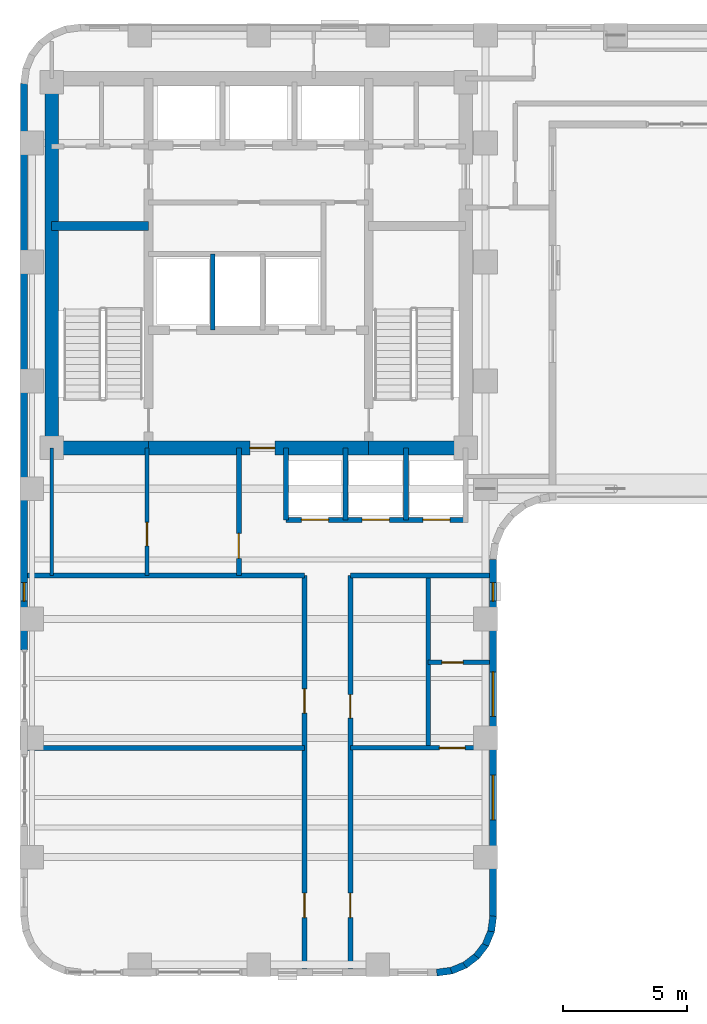
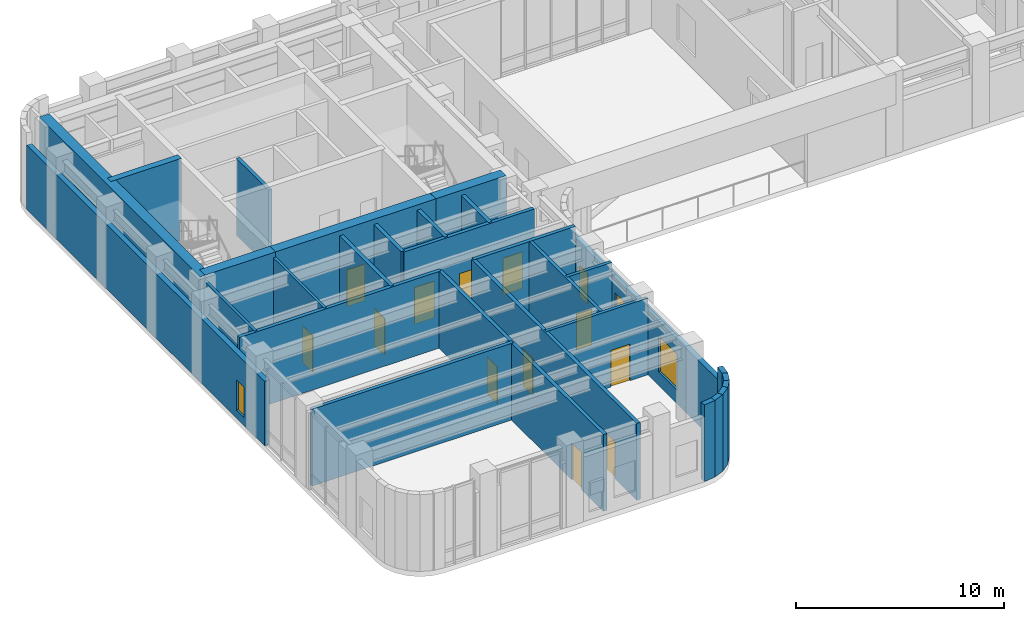
# One storey, part 6 of 12: 29 walls, 12 doors, 4 windows, 16 openings.
"""IFC4 building model written with IfcOpenShell, lengths in metres."""

from ifc_helpers import new_model, si_unit, direction, frame, frame_2d, origin, place, context, subcontext, project, spatial, rectangle, extrude, material, layer, layer_set, type_object, element, fill, save


model = new_model("IFC4")

# Units and contexts
model_context = context("Model", 3, precision=1e-05, world=origin(), true_north=direction((0.0, 1.0)))
body_context = subcontext(model_context, "Body", "Model", "MODEL_VIEW")
ifc_project = project(units=[si_unit("LENGTHUNIT", "METRE"), si_unit("AREAUNIT", "SQUARE_METRE"), si_unit("VOLUMEUNIT", "CUBIC_METRE"), si_unit("PLANEANGLEUNIT", "RADIAN"), si_unit("MASSUNIT", "GRAM", prefix="KILO")], contexts=[model_context])

# Site, building, storey
site_placement = place(None, origin())
site = spatial("IfcSite", under=ifc_project, at=site_placement, CompositionType="ELEMENT")
building_placement = place(site_placement, origin())
building = spatial("IfcBuilding", under=site, at=building_placement, Name="Orvandelia Arch Residences", CompositionType="ELEMENT")
storey_placement = place(building_placement, frame((0.0, 0.0, 193.60009765625)))
storey = spatial("IfcBuildingStorey", under=building, at=storey_placement, Name="L51", CompositionType="ELEMENT", Elevation=193.60009765625)

# Walls
ifc_material_1 = material(Name="Concrete C50/60", Category="concrete")
ifc_layer_1 = layer(ifc_material_1, 0.35009765625, Name="Concrete C50/60", Category="concrete")
ifc_layer_set_1 = layer_set([ifc_layer_1], Name="Concrete C50/60")
wall_type_1 = type_object("IfcWallType", Name="WL-CORE-350", PredefinedType="SHEAR", material=ifc_layer_set_1)
wall_1_placement = place(storey_placement, frame((6.050048828125, 39.85009765625, 0.0), z_axis=(0.0, 0.0, 1.0), x_axis=(1.0, 0.0, 0.0)))
element("IfcWall", 1, at=wall_1_placement, inside=storey, type_object=wall_type_1, Name="Core Shear Wall L51-HZ1", PredefinedType="SHEAR", context=body_context, shape_type="SweptSolid", body=[
    extrude(rectangle(XDim=3.909912109375, YDim=0.35009765625, at=frame_2d((1.955078125, 0.0))), origin(), (0.0, 0.0, 1.0), 4.7998046875),
])
ifc_material_2 = material(Name="Concrete C60/75", Category="concrete")
ifc_layer_2 = layer(ifc_material_2, 0.550048828125, Name="Concrete C60/75", Category="concrete")
ifc_layer_set_2 = layer_set([ifc_layer_2], Name="Concrete C60/75")
wall_type_2 = type_object("IfcWallType", Name="WL-CORE-550", PredefinedType="SHEAR", material=ifc_layer_set_2)
wall_2_placement = place(storey_placement, frame((6.050048828125, 30.625, 0.0), z_axis=(0.0, 0.0, 1.0), x_axis=(0.0, 1.0, 0.0)))
element("IfcWall", 2, at=wall_2_placement, inside=storey, type_object=wall_type_2, Name="Core Shear Wall L51-W", PredefinedType="SHEAR", context=body_context, shape_type="SweptSolid", body=[
    extrude(rectangle(XDim=15.449951171875, YDim=0.550048828125, at=frame_2d((7.72509765625, 0.0))), origin(), (0.0, 0.0, 1.0), 4.7998046875),
])
wall_3_placement = place(storey_placement, frame((6.050048828125, 30.89990234375, 0.0), z_axis=(0.0, 0.0, 1.0), x_axis=(1.0, 0.0, 0.0)))
element("IfcWall", 3, at=wall_3_placement, inside=storey, type_object=wall_type_2, Name="Core Shear Wall L51-SW", PredefinedType="SHEAR", context=body_context, shape_type="SweptSolid", body=[
    extrude(rectangle(XDim=3.909912109375, YDim=0.550048828125, at=frame_2d((1.955078125, 0.0))), origin(), (0.0, 0.0, 1.0), 4.7998046875),
])

# Wall, opening, door
wall_4_placement = place(storey_placement, frame((9.9599609375, 30.89990234375, 0.0), z_axis=(0.0, 0.0, 1.0), x_axis=(1.0, 0.0, 0.0)))
wall_4 = element("IfcWall", 4, at=wall_4_placement, inside=storey, type_object=wall_type_2, Name="Core Shear Wall L51-SM", PredefinedType="SHEAR", context=body_context, shape_type="SweptSolid", body=[
    extrude(rectangle(XDim=8.880126953125, YDim=0.550048828125, at=frame_2d((4.43994140625, 0.0))), origin(), (0.0, 0.0, 1.0), 4.7998046875),
])
opening_1_placement = place(wall_4_placement, frame((4.090087890625, 0.0, 0.0)))
opening_1 = element("IfcOpeningElement", 5, at=opening_1_placement, cuts=wall_4, Name="Opening D6", PredefinedType="OPENING", context=body_context, shape_type="SweptSolid", body=[
    extrude(rectangle(XDim=1.0, YDim=2.14990234375, at=frame_2d((0.5, 1.074951171875))), frame((0.0, 0.28515625, 0.0), z_axis=(0.0, -1.0, 0.0), x_axis=(1.0, 0.0, 0.0)), (0.0, 0.0, 1.0), 0.570068359375),
])
ifc_material_3 = material(Name="Smokeproof Painted Steel Fire Door", Category="steel")
door_type_1 = type_object("IfcDoorType", Name="DR-FD60-1000", OperationType="NOTDEFINED", PredefinedType="DOOR", material=ifc_material_3)
door_1_placement = place(opening_1_placement, origin())
door_1 = element("IfcDoor", 6, at=door_1_placement, inside=storey, type_object=door_type_1, Name="Firefighting Lobby Smokeproof Door L51", OperationType="SINGLE_SWING_LEFT", OverallHeight=2.14990234375, OverallWidth=1.0, PredefinedType="DOOR", context=body_context, shape_type="SweptSolid", body=[
    extrude(rectangle(XDim=1.0, YDim=2.14990234375, at=frame_2d((0.5, 1.074951171875))), frame((0.0, 0.02490234375, 0.0), z_axis=(0.0, -1.0, 0.0), x_axis=(1.0, 0.0, 0.0)), (0.0, 0.0, 1.0), 0.050048828125),
])
fill(opening_1, door_1)

# Wall
wall_5_placement = place(storey_placement, frame((18.840087890625, 30.89990234375, 0.0), z_axis=(0.0, 0.0, 1.0), x_axis=(1.0, 0.0, 0.0)))
element("IfcWall", 7, at=wall_5_placement, inside=storey, type_object=wall_type_2, Name="Core Shear Wall L51-SE", PredefinedType="SHEAR", context=body_context, shape_type="SweptSolid", body=[
    extrude(rectangle(XDim=3.909912109375, YDim=0.550048828125, at=frame_2d((1.955078125, 0.0))), origin(), (0.0, 0.0, 1.0), 4.7998046875),
])

# Wall, openings, doors
ifc_material_4 = material(Name="Fire-Rated Corridor Partition")
ifc_layer_3 = layer(ifc_material_4, 0.199951171875, Name="Fire-Rated Corridor Partition")
ifc_layer_set_3 = layer_set([ifc_layer_3], Name="Fire-Rated Corridor Partition")
wall_type_3 = type_object("IfcWallType", Name="WL-CORR-200", PredefinedType="PARTITIONING", material=ifc_layer_set_3)
wall_6_placement = place(storey_placement, frame((16.25, 9.8798828125, 0.0), z_axis=(0.0, 0.0, 1.0), x_axis=(0.0, 1.0, 0.0)))
wall_6 = element("IfcWall", 8, at=wall_6_placement, inside=storey, type_object=wall_type_3, Name="Interior Partition Wall WL-L51-SKW", PredefinedType="PARTITIONING", context=body_context, shape_type="SweptSolid", body=[
    extrude(rectangle(XDim=15.8701171875, YDim=0.199951171875, at=frame_2d((7.93505859375, 0.0))), origin(), (0.0, 0.0, 1.0), 4.5),
])
opening_2_placement = place(wall_6_placement, frame((10.320068359375, 0.0, 0.0)))
opening_2 = element("IfcOpeningElement", 9, at=opening_2_placement, cuts=wall_6, Name="Opening D1", PredefinedType="OPENING", context=body_context, shape_type="SweptSolid", body=[
    extrude(rectangle(XDim=0.97998046875, YDim=2.179931640625, at=frame_2d((0.489990234375, 1.08984375))), frame((0.0, 0.10986328125, 0.0), z_axis=(0.0, -1.0, 0.0), x_axis=(1.0, 0.0, 0.0)), (0.0, 0.0, 1.0), 0.219970703125),
])
opening_3_placement = place(wall_6_placement, frame((2.080078125, 0.0, 0.0)))
opening_3 = element("IfcOpeningElement", 10, at=opening_3_placement, cuts=wall_6, Name="Opening D1", PredefinedType="OPENING", context=body_context, shape_type="SweptSolid", body=[
    extrude(rectangle(XDim=0.97998046875, YDim=2.179931640625, at=frame_2d((0.489990234375, 1.08984375))), frame((0.0, 0.10986328125, 0.0), z_axis=(0.0, -1.0, 0.0), x_axis=(1.0, 0.0, 0.0)), (0.0, 0.0, 1.0), 0.219970703125),
])
ifc_material_5 = material(Name="Solid-Core Timber Acoustic Fire Door", Category="wood")
door_type_2 = type_object("IfcDoorType", Name="DR-ENT-980", OperationType="NOTDEFINED", PredefinedType="DOOR", material=ifc_material_5)
door_2_placement = place(opening_2_placement, origin())
door_2 = element("IfcDoor", 11, at=door_2_placement, inside=storey, type_object=door_type_2, Name="DR-L51-SKR", OperationType="SINGLE_SWING_LEFT", OverallHeight=2.179931640625, OverallWidth=0.97998046875, PredefinedType="DOOR", context=body_context, shape_type="SweptSolid", body=[
    extrude(rectangle(XDim=0.97998046875, YDim=2.179931640625, at=frame_2d((0.489990234375, 1.08984375))), frame((0.0, 0.02490234375, 0.0), z_axis=(0.0, -1.0, 0.0), x_axis=(1.0, 0.0, 0.0)), (0.0, 0.0, 1.0), 0.050048828125),
])
fill(opening_2, door_2)
door_3_placement = place(opening_3_placement, origin())
door_3 = element("IfcDoor", 12, at=door_3_placement, inside=storey, type_object=door_type_2, Name="DR-L51-SKO", OperationType="SINGLE_SWING_RIGHT", OverallHeight=2.179931640625, OverallWidth=0.97998046875, PredefinedType="DOOR", context=body_context, shape_type="SweptSolid", body=[
    extrude(rectangle(XDim=0.97998046875, YDim=2.179931640625, at=frame_2d((0.489990234375, 1.08984375))), frame((0.0, 0.02490234375, 0.0), z_axis=(0.0, -1.0, 0.0), x_axis=(1.0, 0.0, 0.0)), (0.0, 0.0, 1.0), 0.050048828125),
])
fill(opening_3, door_3)

wall_7_placement = place(storey_placement, frame((18.10009765625, 9.8798828125, 0.0), z_axis=(0.0, 0.0, 1.0), x_axis=(0.0, 1.0, 0.0)))
wall_7 = element("IfcWall", 13, at=wall_7_placement, inside=storey, type_object=wall_type_3, Name="Interior Partition Wall WL-L51-SKE", PredefinedType="PARTITIONING", context=body_context, shape_type="SweptSolid", body=[
    extrude(rectangle(XDim=15.8701171875, YDim=0.199951171875, at=frame_2d((7.93505859375, 0.0))), origin(), (0.0, 0.0, 1.0), 4.5),
])
opening_4_placement = place(wall_7_placement, frame((2.080078125, 0.0, 0.0)))
opening_4 = element("IfcOpeningElement", 14, at=opening_4_placement, cuts=wall_7, Name="Opening D1", PredefinedType="OPENING", context=body_context, shape_type="SweptSolid", body=[
    extrude(rectangle(XDim=0.97998046875, YDim=2.179931640625, at=frame_2d((0.489990234375, 1.08984375))), frame((0.0, 0.10986328125, 0.0), z_axis=(0.0, -1.0, 0.0), x_axis=(1.0, 0.0, 0.0)), (0.0, 0.0, 1.0), 0.219970703125),
])
opening_5_placement = place(wall_7_placement, frame((10.1201171875, 0.0, 0.0)))
opening_5 = element("IfcOpeningElement", 15, at=opening_5_placement, cuts=wall_7, Name="Opening D2", PredefinedType="OPENING", context=body_context, shape_type="SweptSolid", body=[
    extrude(rectangle(XDim=0.949951171875, YDim=2.14990234375, at=frame_2d((0.47509765625, 1.074951171875))), frame((0.0, 0.10986328125, 0.0), z_axis=(0.0, -1.0, 0.0), x_axis=(1.0, 0.0, 0.0)), (0.0, 0.0, 1.0), 0.219970703125),
])
ifc_material_6 = material(Name="Solid-Core Timber Interior Fire Door", Category="wood")
door_type_3 = type_object("IfcDoorType", Name="DR-APT-950", OperationType="NOTDEFINED", PredefinedType="DOOR", material=ifc_material_6)
door_4_placement = place(opening_5_placement, origin())
door_4 = element("IfcDoor", 16, at=door_4_placement, inside=storey, type_object=door_type_3, Name="DR-L51-SKK", OperationType="SINGLE_SWING_RIGHT", OverallHeight=2.14990234375, OverallWidth=0.949951171875, PredefinedType="DOOR", context=body_context, shape_type="SweptSolid", body=[
    extrude(rectangle(XDim=0.949951171875, YDim=2.14990234375, at=frame_2d((0.47509765625, 1.074951171875))), frame((0.0, 0.02490234375, 0.0), z_axis=(0.0, -1.0, 0.0), x_axis=(1.0, 0.0, 0.0)), (0.0, 0.0, 1.0), 0.050048828125),
])
fill(opening_5, door_4)
door_5_placement = place(opening_4_placement, origin())
door_5 = element("IfcDoor", 17, at=door_5_placement, inside=storey, type_object=door_type_2, Name="DR-L51-SKD", OperationType="SINGLE_SWING_LEFT", OverallHeight=2.179931640625, OverallWidth=0.97998046875, PredefinedType="DOOR", context=body_context, shape_type="SweptSolid", body=[
    extrude(rectangle(XDim=0.97998046875, YDim=2.179931640625, at=frame_2d((0.489990234375, 1.08984375))), frame((0.0, 0.02490234375, 0.0), z_axis=(0.0, -1.0, 0.0), x_axis=(1.0, 0.0, 0.0)), (0.0, 0.0, 1.0), 0.050048828125),
])
fill(opening_4, door_5)

# Walls
wall_8_placement = place(storey_placement, frame((5.080078125, 25.75, 0.0), z_axis=(0.0, 0.0, 1.0), x_axis=(1.0, 0.0, 0.0)))
element("IfcWall", 18, at=wall_8_placement, inside=storey, type_object=wall_type_3, Name="Interior Partition Wall WL-L51-SKCLS-W", PredefinedType="PARTITIONING", context=body_context, shape_type="SweptSolid", body=[
    extrude(rectangle(XDim=11.169921875, YDim=0.199951171875, at=frame_2d((5.5849609375, 0.0))), origin(), (0.0, 0.0, 1.0), 4.5),
])
wall_9_placement = place(storey_placement, frame((18.10009765625, 25.75, 0.0), z_axis=(0.0, 0.0, 1.0), x_axis=(1.0, 0.0, 0.0)))
element("IfcWall", 19, at=wall_9_placement, inside=storey, type_object=wall_type_3, Name="Interior Partition Wall WL-L51-SKCLS-E", PredefinedType="PARTITIONING", context=body_context, shape_type="SweptSolid", body=[
    extrude(rectangle(XDim=5.619873046875, YDim=0.199951171875, at=frame_2d((2.81005859375, 0.0))), origin(), (0.0, 0.0, 1.0), 4.5),
])
ifc_material_7 = material(Name="Concrete C40/50", Category="concrete")
ifc_layer_4 = layer(ifc_material_7, 0.199951171875, Name="Concrete C40/50", Category="concrete")
ifc_layer_set_4 = layer_set([ifc_layer_4], Name="Concrete C40/50")
wall_type_4 = type_object("IfcWallType", Name="WL-DEM-200", PredefinedType="SOLIDWALL", material=ifc_layer_set_4)
wall_10_placement = place(storey_placement, frame((5.080078125, 18.800048828125, 0.0), z_axis=(0.0, 0.0, 1.0), x_axis=(1.0, 0.0, 0.0)))
element("IfcWall", 20, at=wall_10_placement, inside=storey, type_object=wall_type_4, Name="Interior Partition Wall WL-L51-SKD1", PredefinedType="SOLIDWALL", context=body_context, shape_type="SweptSolid", body=[
    extrude(rectangle(XDim=11.169921875, YDim=0.199951171875, at=frame_2d((5.5849609375, 0.0))), origin(), (0.0, 0.0, 1.0), 4.5),
])

# Wall, openings, windows
ifc_material_8 = material(Name="Precast concrete C40/50", Category="concrete")
ifc_layer_5 = layer(ifc_material_8, 0.280029296875, Name="Precast concrete C40/50", Category="concrete")
ifc_layer_set_5 = layer_set([ifc_layer_5], Name="Precast concrete C40/50")
wall_type_5 = type_object("IfcWallType", Name="WL-EXT-STONE-280", PredefinedType="STANDARD", material=ifc_layer_set_5)
wall_11_placement = place(storey_placement, frame((23.860107421875, 26.39990234375, 0.0), z_axis=(0.0, 0.0, 1.0), x_axis=(0.0, -1.0, 0.0)))
wall_11 = element("IfcWall", 21, at=wall_11_placement, inside=storey, type_object=wall_type_5, Name="Coral-Limestone Precast Facade Wall L51-032", PredefinedType="STANDARD", context=body_context, shape_type="SweptSolid", body=[
    extrude(rectangle(XDim=14.39990234375, YDim=0.280029296875, at=frame_2d((7.199951171875, 0.0))), origin(), (0.0, 0.0, 1.0), 3.77978515625),
])
opening_6_placement = place(wall_11_placement, frame((8.699951171875, 0.0, 0.800048828125)))
opening_6 = element("IfcOpeningElement", 22, at=opening_6_placement, cuts=wall_11, Name="Opening W1", PredefinedType="OPENING", context=body_context, shape_type="SweptSolid", body=[
    extrude(rectangle(XDim=1.800048828125, YDim=2.10009765625, at=frame_2d((0.89990234375, 1.050048828125))), frame((0.0, 0.14990234375, 0.0), z_axis=(0.0, -1.0, 0.0), x_axis=(1.0, 0.0, 0.0)), (0.0, 0.0, 1.0), 0.300048828125),
])
opening_7_placement = place(wall_11_placement, frame((4.527587890625, 0.0, 0.800048828125)))
opening_7 = element("IfcOpeningElement", 23, at=opening_7_placement, cuts=wall_11, Name="Opening W1", PredefinedType="OPENING", context=body_context, shape_type="SweptSolid", body=[
    extrude(rectangle(XDim=1.800048828125, YDim=2.10009765625, at=frame_2d((0.89990234375, 1.050048828125))), frame((0.0, 0.14990234375, 0.0), z_axis=(0.0, -1.0, 0.0), x_axis=(1.0, 0.0, 0.0)), (0.0, 0.0, 1.0), 0.300048828125),
])
opening_8_placement = place(wall_11_placement, frame((0.927490234375, 0.0, 0.449951171875)))
opening_8 = element("IfcOpeningElement", 24, at=opening_8_placement, cuts=wall_11, Name="Opening W11", PredefinedType="OPENING", context=body_context, shape_type="SweptSolid", body=[
    extrude(rectangle(XDim=0.75, YDim=1.800048828125, at=frame_2d((0.375, 0.89990234375))), frame((0.0, 0.14990234375, 0.0), z_axis=(0.0, -1.0, 0.0), x_axis=(1.0, 0.0, 0.0)), (0.0, 0.0, 1.0), 0.300048828125),
])
ifc_material_9 = material(Name="Tempered Low-E Insulated Glazing", Category="glass")
window_type_1 = type_object("IfcWindowType", Name="WIN-BED-0750x1800", PartitioningType="SINGLE_PANEL", PredefinedType="WINDOW", material=ifc_material_9)
window_1_placement = place(opening_8_placement, origin())
window_1 = element("IfcWindow", 25, at=window_1_placement, inside=storey, type_object=window_type_1, Name="Recessed Punched Window L51-012", OverallHeight=1.800048828125, OverallWidth=0.75, PartitioningType="SINGLE_PANEL", PredefinedType="WINDOW", context=body_context, shape_type="SweptSolid", body=[
    extrude(rectangle(XDim=0.75, YDim=1.800048828125, at=frame_2d((0.375, 0.89990234375))), frame((0.0, 0.030029296875, 0.0), z_axis=(0.0, -1.0, 0.0), x_axis=(1.0, 0.0, 0.0)), (0.0, 0.0, 1.0), 0.06005859375),
])
fill(opening_8, window_1)
window_type_2 = type_object("IfcWindowType", Name="WIN-RES-1800x2100", PartitioningType="SINGLE_PANEL", PredefinedType="WINDOW", material=ifc_material_9)
window_2_placement = place(opening_6_placement, origin())
window_2 = element("IfcWindow", 26, at=window_2_placement, inside=storey, type_object=window_type_2, Name="Recessed Punched Window L51-010", OverallHeight=2.10009765625, OverallWidth=1.800048828125, PartitioningType="SINGLE_PANEL", PredefinedType="WINDOW", context=body_context, shape_type="SweptSolid", body=[
    extrude(rectangle(XDim=1.800048828125, YDim=2.10009765625, at=frame_2d((0.89990234375, 1.050048828125))), frame((0.0, 0.030029296875, 0.0), z_axis=(0.0, -1.0, 0.0), x_axis=(1.0, 0.0, 0.0)), (0.0, 0.0, 1.0), 0.06005859375),
])
fill(opening_6, window_2)
window_3_placement = place(opening_7_placement, origin())
window_3 = element("IfcWindow", 27, at=window_3_placement, inside=storey, type_object=window_type_2, Name="Recessed Punched Window L51-011", OverallHeight=2.10009765625, OverallWidth=1.800048828125, PartitioningType="SINGLE_PANEL", PredefinedType="WINDOW", context=body_context, shape_type="SweptSolid", body=[
    extrude(rectangle(XDim=1.800048828125, YDim=2.10009765625, at=frame_2d((0.89990234375, 1.050048828125))), frame((0.0, 0.030029296875, 0.0), z_axis=(0.0, -1.0, 0.0), x_axis=(1.0, 0.0, 0.0)), (0.0, 0.0, 1.0), 0.06005859375),
])
fill(opening_7, window_3)

# Walls
for number, where, z_axis, x_axis, name in (
    (28, (23.861083984375, 12.018310546875, 0.0), (0.0, 0.0, 1.0), (-0.130555323746, -0.9914410257, 0.0), "Coral-Limestone Precast Facade Wall L51-033"),
    (29, (23.788818359375, 11.432373046875, 0.0), (0.0, 0.0, 1.0), (-0.382317370307, -0.924031075431, 0.0), "Coral-Limestone Precast Facade Wall L51-034"),
    (30, (23.5673828125, 10.88525390625, 0.0), (0.0, 0.0, 1.0), (-0.608693302629, -0.793405610854, 0.0), "Coral-Limestone Precast Facade Wall L51-035"),
    (31, (23.2119140625, 10.4140625, 0.0), (0.0, 0.0, 1.0), (-0.793405610854, -0.608693302629, 0.0), "Coral-Limestone Precast Facade Wall L51-036"),
    (32, (22.746337890625, 10.05078125, 0.0), (0.0, 0.0, 1.0), (-0.92389335771, -0.382650053678, 0.0), "Coral-Limestone Precast Facade Wall L51-037"),
    (33, (22.202880859375, 9.820556640625, 0.0), (0.0, 0.0, 1.0), (-0.9914410257, -0.130555323746, 0.0), "Coral-Limestone Precast Facade Wall L51-038"),
):
    element("IfcWall", number, at=place(storey_placement, frame(where, z_axis=z_axis, x_axis=x_axis)), inside=storey, type_object=wall_type_5, Name=name, PredefinedType="STANDARD", context=body_context, shape_type="SweptSolid", body=[
        extrude(rectangle(XDim=0.62646484375, YDim=0.280029296875, at=frame_2d((0.313232421875, 0.0))), origin(), (0.0, 0.0, 1.0), 4.5),
    ])

# Wall, opening, window
wall_12_placement = place(storey_placement, frame((4.93994140625, 22.760009765625, 0.0), z_axis=(0.0, 0.0, 1.0), x_axis=(0.0, 1.0, 0.0)))
wall_12 = element("IfcWall", 34, at=wall_12_placement, inside=storey, type_object=wall_type_5, Name="Coral-Limestone Precast Facade Wall L51-049", PredefinedType="STANDARD", context=body_context, shape_type="SweptSolid", body=[
    extrude(rectangle(XDim=22.840087890625, YDim=0.280029296875, at=frame_2d((11.419921875, 0.0))), origin(), (0.0, 0.0, 1.0), 3.77978515625),
])
opening_9_placement = place(wall_12_placement, frame((1.96240234375, 0.0, 0.449951171875)))
opening_9 = element("IfcOpeningElement", 35, at=opening_9_placement, cuts=wall_12, Name="Opening W11", PredefinedType="OPENING", context=body_context, shape_type="SweptSolid", body=[
    extrude(rectangle(XDim=0.75, YDim=1.800048828125, at=frame_2d((0.375, 0.89990234375))), frame((0.0, 0.14990234375, 0.0), z_axis=(0.0, -1.0, 0.0), x_axis=(1.0, 0.0, 0.0)), (0.0, 0.0, 1.0), 0.300048828125),
])
window_4_placement = place(opening_9_placement, origin())
window_4 = element("IfcWindow", 36, at=window_4_placement, inside=storey, type_object=window_type_1, Name="Recessed Punched Window L51-017", OverallHeight=1.800048828125, OverallWidth=0.75, PartitioningType="SINGLE_PANEL", PredefinedType="WINDOW", context=body_context, shape_type="SweptSolid", body=[
    extrude(rectangle(XDim=0.75, YDim=1.800048828125, at=frame_2d((0.375, 0.89990234375))), frame((0.0, 0.030029296875, 0.0), z_axis=(0.0, -1.0, 0.0), x_axis=(1.0, 0.0, 0.0)), (0.0, 0.0, 1.0), 0.06005859375),
])
fill(opening_9, window_4)

# Wall
ifc_material_10 = material(Name="Acoustic Gypsum Stud Partition")
ifc_layer_6 = layer(ifc_material_10, 0.14990234375, Name="Acoustic Gypsum Stud Partition")
ifc_layer_set_6 = layer_set([ifc_layer_6], Name="Acoustic Gypsum Stud Partition")
wall_type_6 = type_object("IfcWallType", Name="WL-PART-150", PredefinedType="PARTITIONING", material=ifc_layer_set_6)
wall_13_placement = place(storey_placement, frame((6.050048828125, 25.75, 0.0), z_axis=(0.0, 0.0, 1.0), x_axis=(0.0, 1.0, 0.0)))
element("IfcWall", 37, at=wall_13_placement, inside=storey, type_object=wall_type_6, Name="Interior Partition Wall WL-L51-B1REUSE-W", PredefinedType="PARTITIONING", context=body_context, shape_type="SweptSolid", body=[
    extrude(rectangle(XDim=5.14990234375, YDim=0.14990234375, at=frame_2d((2.574951171875, 0.0))), origin(), (0.0, 0.0, 1.0), 4.5),
])

# Wall, opening, door
wall_14_placement = place(storey_placement, frame((9.89990234375, 25.75, 0.0), z_axis=(0.0, 0.0, 1.0), x_axis=(0.0, 1.0, 0.0)))
wall_14 = element("IfcWall", 38, at=wall_14_placement, inside=storey, type_object=wall_type_6, Name="Interior Partition Wall WL-L51-B1R-M", PredefinedType="PARTITIONING", context=body_context, shape_type="SweptSolid", body=[
    extrude(rectangle(XDim=5.14990234375, YDim=0.14990234375, at=frame_2d((2.574951171875, 0.0))), origin(), (0.0, 0.0, 1.0), 4.5),
])
opening_10_placement = place(wall_14_placement, frame((1.199951171875, 0.0, 0.0)))
opening_10 = element("IfcOpeningElement", 39, at=opening_10_placement, cuts=wall_14, Name="Opening D2", PredefinedType="OPENING", context=body_context, shape_type="SweptSolid", body=[
    extrude(rectangle(XDim=0.949951171875, YDim=2.14990234375, at=frame_2d((0.47509765625, 1.074951171875))), frame((0.0, 0.0849609375, 0.0), z_axis=(0.0, -1.0, 0.0), x_axis=(1.0, 0.0, 0.0)), (0.0, 0.0, 1.0), 0.169921875),
])
door_6_placement = place(opening_10_placement, origin())
door_6 = element("IfcDoor", 40, at=door_6_placement, inside=storey, type_object=door_type_3, Name="DR-L51-B1RA", OperationType="SINGLE_SWING_RIGHT", OverallHeight=2.14990234375, OverallWidth=0.949951171875, PredefinedType="DOOR", context=body_context, shape_type="SweptSolid", body=[
    extrude(rectangle(XDim=0.949951171875, YDim=2.14990234375, at=frame_2d((0.47509765625, 1.074951171875))), frame((0.0, 0.02490234375, 0.0), z_axis=(0.0, -1.0, 0.0), x_axis=(1.0, 0.0, 0.0)), (0.0, 0.0, 1.0), 0.050048828125),
])
fill(opening_10, door_6)

# Wall
ifc_material_11 = material(Name="Fire-Rated Shaft Enclosure Wall")
ifc_layer_7 = layer(ifc_material_11, 0.199951171875, Name="Fire-Rated Shaft Enclosure Wall")
ifc_layer_set_7 = layer_set([ifc_layer_7], Name="Fire-Rated Shaft Enclosure Wall")
wall_type_7 = type_object("IfcWallType", Name="WL-SHAFT-200", PredefinedType="POLYGONAL", material=ifc_layer_set_7)
wall_15_placement = place(storey_placement, frame((12.550048828125, 35.64990234375, 0.0), z_axis=(0.0, 0.0, 1.0), x_axis=(0.0, 1.0, 0.0)))
element("IfcWall", 41, at=wall_15_placement, inside=storey, type_object=wall_type_7, Name="Interior Partition Wall WL-L51-FLM1", PredefinedType="POLYGONAL", context=body_context, shape_type="SweptSolid", body=[
    extrude(rectangle(XDim=3.070068359375, YDim=0.199951171875, at=frame_2d((1.53515625, 0.0))), origin(), (0.0, 0.0, 1.0), 4.5),
])

# Wall, opening, door
wall_16_placement = place(storey_placement, frame((13.60009765625, 25.75, 0.0), z_axis=(0.0, 0.0, 1.0), x_axis=(0.0, 1.0, 0.0)))
wall_16 = element("IfcWall", 42, at=wall_16_placement, inside=storey, type_object=wall_type_7, Name="Interior Partition Wall WL-L51-B1REUSE-E", PredefinedType="POLYGONAL", context=body_context, shape_type="SweptSolid", body=[
    extrude(rectangle(XDim=5.14990234375, YDim=0.199951171875, at=frame_2d((2.574951171875, 0.0))), origin(), (0.0, 0.0, 1.0), 4.5),
])
opening_11_placement = place(wall_16_placement, frame((0.699951171875, 0.0, 0.0)))
opening_11 = element("IfcOpeningElement", 43, at=opening_11_placement, cuts=wall_16, Name="Opening D6", PredefinedType="OPENING", context=body_context, shape_type="SweptSolid", body=[
    extrude(rectangle(XDim=1.0, YDim=2.14990234375, at=frame_2d((0.5, 1.074951171875))), frame((0.0, 0.10986328125, 0.0), z_axis=(0.0, -1.0, 0.0), x_axis=(1.0, 0.0, 0.0)), (0.0, 0.0, 1.0), 0.219970703125),
])
door_7_placement = place(opening_11_placement, origin())
door_7 = element("IfcDoor", 44, at=door_7_placement, inside=storey, type_object=door_type_1, Name="DR-L51-B1RB", OperationType="SINGLE_SWING_LEFT", OverallHeight=2.14990234375, OverallWidth=1.0, PredefinedType="DOOR", context=body_context, shape_type="SweptSolid", body=[
    extrude(rectangle(XDim=1.0, YDim=2.14990234375, at=frame_2d((0.5, 1.074951171875))), frame((0.0, 0.02490234375, 0.0), z_axis=(0.0, -1.0, 0.0), x_axis=(1.0, 0.0, 0.0)), (0.0, 0.0, 1.0), 0.050048828125),
])
fill(opening_11, door_7)

# Wall, openings, doors
wall_17_placement = place(storey_placement, frame((15.5, 28.0, 0.0), z_axis=(0.0, 0.0, 1.0), x_axis=(1.0, 0.0, 0.0)))
wall_17 = element("IfcWall", 45, at=wall_17_placement, inside=storey, type_object=wall_type_7, Name="Interior Partition Wall WL-L51-BNKM-S", PredefinedType="POLYGONAL", context=body_context, shape_type="SweptSolid", body=[
    extrude(rectangle(XDim=7.25, YDim=0.199951171875, at=frame_2d((3.625, 0.0))), origin(), (0.0, 0.0, 1.0), 4.5),
])
opening_12_placement = place(wall_17_placement, frame((0.625, 0.0, 0.0)))
opening_12 = element("IfcOpeningElement", 46, at=opening_12_placement, cuts=wall_17, Name="Opening LD", PredefinedType="OPENING", context=body_context, shape_type="SweptSolid", body=[
    extrude(rectangle(XDim=1.10009765625, YDim=2.14990234375, at=frame_2d((0.550048828125, 1.074951171875))), frame((0.0, 0.10986328125, 0.0), z_axis=(0.0, -1.0, 0.0), x_axis=(1.0, 0.0, 0.0)), (0.0, 0.0, 1.0), 0.219970703125),
])
opening_13_placement = place(wall_17_placement, frame((3.074951171875, 0.0, 0.0)))
opening_13 = element("IfcOpeningElement", 47, at=opening_13_placement, cuts=wall_17, Name="Opening LD", PredefinedType="OPENING", context=body_context, shape_type="SweptSolid", body=[
    extrude(rectangle(XDim=1.10009765625, YDim=2.14990234375, at=frame_2d((0.550048828125, 1.074951171875))), frame((0.0, 0.10986328125, 0.0), z_axis=(0.0, -1.0, 0.0), x_axis=(1.0, 0.0, 0.0)), (0.0, 0.0, 1.0), 0.219970703125),
])
opening_14_placement = place(wall_17_placement, frame((5.52490234375, 0.0, 0.0)))
opening_14 = element("IfcOpeningElement", 48, at=opening_14_placement, cuts=wall_17, Name="Opening LD", PredefinedType="OPENING", context=body_context, shape_type="SweptSolid", body=[
    extrude(rectangle(XDim=1.10009765625, YDim=2.14990234375, at=frame_2d((0.550048828125, 1.074951171875))), frame((0.0, 0.10986328125, 0.0), z_axis=(0.0, -1.0, 0.0), x_axis=(1.0, 0.0, 0.0)), (0.0, 0.0, 1.0), 0.219970703125),
])
ifc_material_12 = material(Name="Brushed Stainless Steel Sliding Lift Door", Category="steel")
door_type_4 = type_object("IfcDoorType", Name="DR-LIFT-1100", OperationType="NOTDEFINED", PredefinedType="DOOR", material=ifc_material_12)
door_8_placement = place(opening_12_placement, origin())
door_8 = element("IfcDoor", 49, at=door_8_placement, inside=storey, type_object=door_type_4, Name="Lift Landing Door LD-PM1", OperationType="SLIDING_TO_LEFT", OverallHeight=2.14990234375, OverallWidth=1.10009765625, PredefinedType="DOOR", context=body_context, shape_type="SweptSolid", body=[
    extrude(rectangle(XDim=1.10009765625, YDim=2.14990234375, at=frame_2d((0.550048828125, 1.074951171875))), frame((0.0, 0.02490234375, 0.0), z_axis=(0.0, -1.0, 0.0), x_axis=(1.0, 0.0, 0.0)), (0.0, 0.0, 1.0), 0.050048828125),
])
fill(opening_12, door_8)
door_9_placement = place(opening_13_placement, origin())
door_9 = element("IfcDoor", 50, at=door_9_placement, inside=storey, type_object=door_type_4, Name="Lift Landing Door LD-PM2", OperationType="SLIDING_TO_RIGHT", OverallHeight=2.14990234375, OverallWidth=1.10009765625, PredefinedType="DOOR", context=body_context, shape_type="SweptSolid", body=[
    extrude(rectangle(XDim=1.10009765625, YDim=2.14990234375, at=frame_2d((0.550048828125, 1.074951171875))), frame((0.0, 0.02490234375, 0.0), z_axis=(0.0, -1.0, 0.0), x_axis=(1.0, 0.0, 0.0)), (0.0, 0.0, 1.0), 0.050048828125),
])
fill(opening_13, door_9)
door_10_placement = place(opening_14_placement, origin())
door_10 = element("IfcDoor", 51, at=door_10_placement, inside=storey, type_object=door_type_4, Name="Lift Landing Door LD-PM3", OperationType="SLIDING_TO_LEFT", OverallHeight=2.14990234375, OverallWidth=1.10009765625, PredefinedType="DOOR", context=body_context, shape_type="SweptSolid", body=[
    extrude(rectangle(XDim=1.10009765625, YDim=2.14990234375, at=frame_2d((0.550048828125, 1.074951171875))), frame((0.0, 0.02490234375, 0.0), z_axis=(0.0, -1.0, 0.0), x_axis=(1.0, 0.0, 0.0)), (0.0, 0.0, 1.0), 0.050048828125),
])
fill(opening_14, door_10)

# Walls
for number, where, z_axis, x_axis, name in (
    (52, (15.5, 28.0, 0.0), (0.0, 0.0, 1.0), (0.0, 1.0, 0.0), "Interior Partition Wall WL-L51-BNKM-W"),
    (53, (17.89990234375, 28.0, 0.0), (0.0, 0.0, 1.0), (0.0, 1.0, 0.0), "Interior Partition Wall WL-L51-BNKMD-1789"),
    (54, (20.35009765625, 28.0, 0.0), (0.0, 0.0, 1.0), (0.0, 1.0, 0.0), "Interior Partition Wall WL-L51-BNKMD-2035"),
):
    element("IfcWall", number, at=place(storey_placement, frame(where, z_axis=z_axis, x_axis=x_axis)), inside=storey, type_object=wall_type_7, Name=name, PredefinedType="POLYGONAL", context=body_context, shape_type="SweptSolid", body=[
        extrude(rectangle(XDim=2.89990234375, YDim=0.199951171875, at=frame_2d((1.449951171875, 0.0))), origin(), (0.0, 0.0, 1.0), 4.5),
    ])

# Wall, opening, door
ifc_material_13 = material(Name="Moisture-Resistant Plumbing Wall")
ifc_layer_8 = layer(ifc_material_13, 0.179931640625, Name="Moisture-Resistant Plumbing Wall")
ifc_layer_set_8 = layer_set([ifc_layer_8], Name="Moisture-Resistant Plumbing Wall")
wall_type_8 = type_object("IfcWallType", Name="WL-WET-180", PredefinedType="PLUMBINGWALL", material=ifc_layer_set_8)
wall_18_placement = place(storey_placement, frame((18.10009765625, 18.800048828125, 0.0), z_axis=(0.0, 0.0, 1.0), x_axis=(1.0, 0.0, 0.0)))
wall_18 = element("IfcWall", 55, at=wall_18_placement, inside=storey, type_object=wall_type_8, Name="Interior Partition Wall WL-L51-SKD2", PredefinedType="PLUMBINGWALL", context=body_context, shape_type="SweptSolid", body=[
    extrude(rectangle(XDim=5.619873046875, YDim=0.179931640625, at=frame_2d((2.81005859375, 0.0))), origin(), (0.0, 0.0, 1.0), 4.5),
])
opening_15_placement = place(wall_18_placement, frame((3.5859375, 0.0, 0.0)))
opening_15 = element("IfcOpeningElement", 56, at=opening_15_placement, cuts=wall_18, Name="Opening D8", PredefinedType="OPENING", context=body_context, shape_type="SweptSolid", body=[
    extrude(rectangle(XDim=1.0400390625, YDim=2.14990234375, at=frame_2d((0.52001953125, 1.074951171875))), frame((0.0, 0.10009765625, 0.0), z_axis=(0.0, -1.0, 0.0), x_axis=(1.0, 0.0, 0.0)), (0.0, 0.0, 1.0), 0.199951171875),
])
ifc_material_14 = material(Name="Accessible Wide-Leaf Washroom Door")
door_type_5 = type_object("IfcDoorType", Name="DR-ACC-1040", OperationType="NOTDEFINED", PredefinedType="DOOR", material=ifc_material_14)
door_11_placement = place(opening_15_placement, origin())
door_11 = element("IfcDoor", 57, at=door_11_placement, inside=storey, type_object=door_type_5, Name="DR-L51-SKWC", OperationType="SINGLE_SWING_LEFT", OverallHeight=2.14990234375, OverallWidth=1.0400390625, PredefinedType="DOOR", context=body_context, shape_type="SweptSolid", body=[
    extrude(rectangle(XDim=1.0400390625, YDim=2.14990234375, at=frame_2d((0.52001953125, 1.074951171875))), frame((0.0, 0.02490234375, 0.0), z_axis=(0.0, -1.0, 0.0), x_axis=(1.0, 0.0, 0.0)), (0.0, 0.0, 1.0), 0.050048828125),
])
fill(opening_15, door_11)

# Wall
wall_19_placement = place(storey_placement, frame((21.236083984375, 18.800048828125, 0.0), z_axis=(0.0, 0.0, 1.0), x_axis=(0.0, 1.0, 0.0)))
element("IfcWall", 58, at=wall_19_placement, inside=storey, type_object=wall_type_8, Name="Interior Partition Wall WL-L51-SKD3", PredefinedType="PLUMBINGWALL", context=body_context, shape_type="SweptSolid", body=[
    extrude(rectangle(XDim=6.949951171875, YDim=0.179931640625, at=frame_2d((3.47509765625, 0.0))), origin(), (0.0, 0.0, 1.0), 4.5),
])

# Wall, opening, door
wall_20_placement = place(storey_placement, frame((21.236083984375, 22.25, 0.0), z_axis=(0.0, 0.0, 1.0), x_axis=(1.0, 0.0, 0.0)))
wall_20 = element("IfcWall", 59, at=wall_20_placement, inside=storey, type_object=wall_type_8, Name="Interior Partition Wall WL-L51-SKD4", PredefinedType="PLUMBINGWALL", context=body_context, shape_type="SweptSolid", body=[
    extrude(rectangle(XDim=2.48388671875, YDim=0.179931640625, at=frame_2d((1.241943359375, 0.0))), origin(), (0.0, 0.0, 1.0), 4.5),
])
opening_16_placement = place(wall_20_placement, frame((0.550048828125, 0.0, 0.0)))
opening_16 = element("IfcOpeningElement", 60, at=opening_16_placement, cuts=wall_20, Name="Opening D4", PredefinedType="OPENING", context=body_context, shape_type="SweptSolid", body=[
    extrude(rectangle(XDim=0.860107421875, YDim=2.10009765625, at=frame_2d((0.43017578125, 1.050048828125))), frame((0.0, 0.10009765625, 0.0), z_axis=(0.0, -1.0, 0.0), x_axis=(1.0, 0.0, 0.0)), (0.0, 0.0, 1.0), 0.199951171875),
])
ifc_material_15 = material(Name="Moisture-Sealed Timber Bathroom Door", Category="wood")
door_type_6 = type_object("IfcDoorType", Name="DR-WET-900", OperationType="NOTDEFINED", PredefinedType="DOOR", material=ifc_material_15)
door_12_placement = place(opening_16_placement, origin())
door_12 = element("IfcDoor", 61, at=door_12_placement, inside=storey, type_object=door_type_6, Name="DR-L51-SKWCP", OperationType="SINGLE_SWING_RIGHT", OverallHeight=2.10009765625, OverallWidth=0.860107421875, PredefinedType="DOOR", context=body_context, shape_type="SweptSolid", body=[
    extrude(rectangle(XDim=0.860107421875, YDim=2.10009765625, at=frame_2d((0.43017578125, 1.050048828125))), frame((0.0, 0.02490234375, 0.0), z_axis=(0.0, -1.0, 0.0), x_axis=(1.0, 0.0, 0.0)), (0.0, 0.0, 1.0), 0.050048828125),
])
fill(opening_16, door_12)

save(model, "model.ifc")
